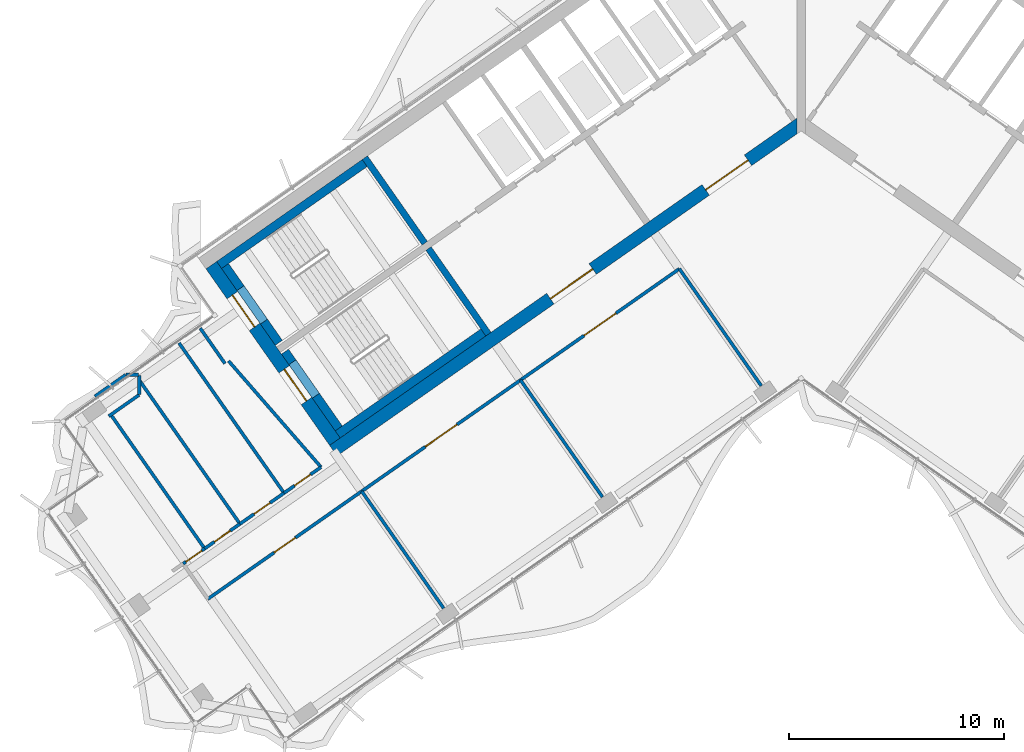
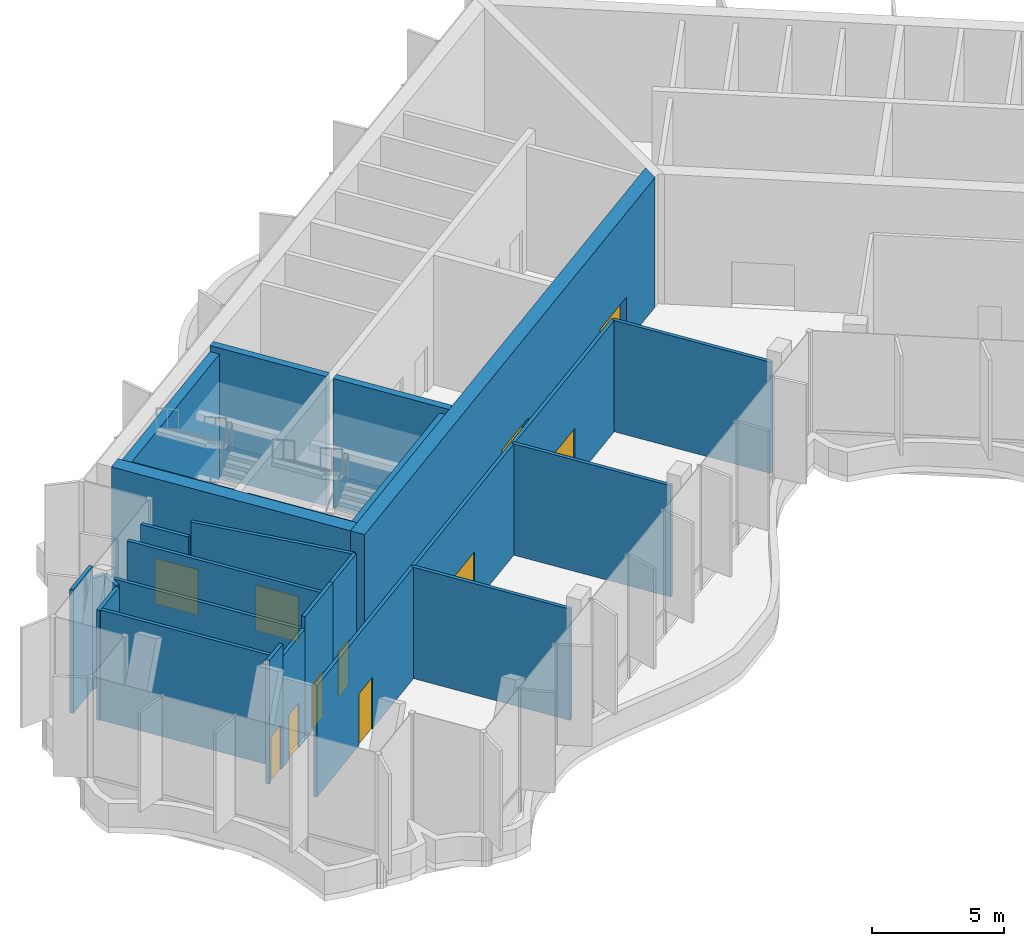
# One storey, part 12 of 22: 31 walls, 11 doors, 11 openings.
"""IFC4 building model written with IfcOpenShell, lengths in metres."""

from ifc_helpers import new_model, si_unit, direction, frame, frame_2d, origin, place, context, subcontext, project, spatial, polyline, rectangle, outline, extrude, material, layer, layer_set, type_object, element, fill, save


model = new_model("IFC4")

# Units and contexts
model_context = context("Model", 3, precision=1e-05, world=origin(), true_north=direction((0.0, 1.0)))
body_context = subcontext(model_context, "Body", "Model", "MODEL_VIEW")
ifc_project = project(units=[si_unit("LENGTHUNIT", "METRE"), si_unit("AREAUNIT", "SQUARE_METRE"), si_unit("VOLUMEUNIT", "CUBIC_METRE"), si_unit("PLANEANGLEUNIT", "RADIAN"), si_unit("MASSUNIT", "GRAM", prefix="KILO")], contexts=[model_context])

# Site, building, storey
site_placement = place(None, origin())
site = spatial("IfcSite", under=ifc_project, at=site_placement, CompositionType="ELEMENT")
building_placement = place(site_placement, origin())
building = spatial("IfcBuilding", under=site, at=building_placement, Name="Tel Ilan Convention Tower", CompositionType="ELEMENT")
storey_placement = place(building_placement, frame((0.0, 0.0, 219.39990234375)))
storey = spatial("IfcBuildingStorey", under=building, at=storey_placement, Name="L51", CompositionType="ELEMENT", Elevation=219.39990234375)

# Walls
ifc_material_1 = material(Name="Concrete C40/50", Category="concrete")
ifc_layer_1 = layer(ifc_material_1, 0.300048828125)
ifc_layer_set_1 = layer_set([ifc_layer_1], Name="Core Shear Wall 300 mm C40/50")
wall_type_1 = type_object("IfcWallType", Name="Core Shear Wall 300 mm C40/50", PredefinedType="SHEAR", material=ifc_layer_set_1)
wall_1_placement = place(storey_placement, frame((-14.515380859375, -10.652099609375, 0.0), z_axis=(0.0, 0.0, 1.0), x_axis=(-0.573560315113, 0.819163332265, 0.0)))
element("IfcWall", 1, at=wall_1_placement, inside=storey, type_object=wall_type_1, Name="L51 core wall W-cross2-1", PredefinedType="SHEAR", context=body_context, shape_type="SweptSolid", body=[
    extrude(outline(polyline([(4.85009765625, 0.14990234375), (0.0, 0.14990234375), (0.0, -0.150146484375), (4.85009765625, -0.14990234375), (4.85009765625, 0.14990234375)])), origin(), (0.0, 0.0, 1.0), 6.0),
])
wall_2_placement = place(storey_placement, frame((-17.46923828125, -6.433349609375, 0.0), z_axis=(0.0, 0.0, 1.0), x_axis=(-0.573594092424, 0.81913968109, 0.0)))
element("IfcWall", 2, at=wall_2_placement, inside=storey, type_object=wall_type_1, Name="L51 core wall W-cross2-2", PredefinedType="SHEAR", context=body_context, shape_type="SweptSolid", body=[
    extrude(outline(polyline([(4.849853515625, -0.150146484375), (4.849853515625, 0.14990234375), (0.0, 0.14990234375), (0.0, -0.14990234375), (4.849853515625, -0.150146484375)])), origin(), (0.0, 0.0, 1.0), 6.0),
])

# Wall, openings, doors
ifc_material_2 = material(Name="Concrete C40/50", Category="concrete")
ifc_layer_2 = layer(ifc_material_2, 0.60009765625)
ifc_layer_set_2 = layer_set([ifc_layer_2], Name="Core Shear Wall 600 mm C40/50")
wall_type_2 = type_object("IfcWallType", Name="Core Shear Wall 600 mm C40/50", PredefinedType="SHEAR", material=ifc_layer_set_2)
wall_3_placement = place(storey_placement, frame((-0.02783203125, -0.8740234375, 0.0), z_axis=(0.0, 0.0, 1.0), x_axis=(-0.819150035022, -0.573579305871, 0.0)))
wall_3 = element("IfcWall", 3, at=wall_3_placement, inside=storey, type_object=wall_type_2, Name="L51 core wall W-front", PredefinedType="SHEAR", context=body_context, shape_type="SweptSolid", body=[
    extrude(outline(polyline([(26.475830078125, 0.2998046875), (0.420166015625, 0.300048828125), (0.000244140625, -0.300048828125), (26.475830078125, -0.300048828125), (26.475830078125, 0.2998046875)])), origin(), (0.0, 0.0, 1.0), 6.0),
])
opening_1_placement = place(wall_3_placement, frame((2.975830078125, 0.0, 0.0)))
opening_1 = element("IfcOpeningElement", 4, at=opening_1_placement, cuts=wall_3, Name="Opening CD4005", PredefinedType="OPENING", context=body_context, shape_type="SweptSolid", body=[
    extrude(rectangle(XDim=2.39990234375, YDim=2.10009765625, at=frame_2d((1.199951171875, 1.050048828125))), frame((0.0, 0.31005859375, 0.0), z_axis=(0.0, -1.0, 0.0), x_axis=(1.0, 0.0, 0.0)), (0.0, 0.0, 1.0), 0.6201171875),
])
opening_2_placement = place(wall_3_placement, frame((11.77587890625, 0.0, 0.0)))
opening_2 = element("IfcOpeningElement", 5, at=opening_2_placement, cuts=wall_3, Name="Opening CD4006", PredefinedType="OPENING", context=body_context, shape_type="SweptSolid", body=[
    extrude(rectangle(XDim=2.39990234375, YDim=2.10009765625, at=frame_2d((1.199951171875, 1.050048828125))), frame((0.0, 0.31005859375, 0.0), z_axis=(0.0, -1.0, 0.0), x_axis=(1.0, 0.0, 0.0)), (0.0, 0.0, 1.0), 0.6201171875),
])
ifc_material_3 = material(Name="Glazed Aluminium Door Leaf", Category="aluminium")
door_type_1 = type_object("IfcDoorType", Name="Lobby Opening Door 2400 x 2100 FD60S", OperationType="NOTDEFINED", PredefinedType="DOOR", material=ifc_material_3)
door_1_placement = place(opening_1_placement, origin())
door_1 = element("IfcDoor", 6, at=door_1_placement, inside=storey, type_object=door_type_1, Name="Lift Lobby HR1-HR4 opening", OperationType="DOUBLE_DOOR_SINGLE_SWING", OverallHeight=2.10009765625, OverallWidth=2.39990234375, PredefinedType="DOOR", context=body_context, shape_type="SweptSolid", body=[
    extrude(rectangle(XDim=2.39990234375, YDim=2.10009765625, at=frame_2d((1.199951171875, 1.050048828125))), frame((0.0, 0.02490234375, 0.0), z_axis=(0.0, -1.0, 0.0), x_axis=(1.0, 0.0, 0.0)), (0.0, 0.0, 1.0), 0.050048828125),
])
fill(opening_1, door_1)
door_2_placement = place(opening_2_placement, origin())
door_2 = element("IfcDoor", 7, at=door_2_placement, inside=storey, type_object=door_type_1, Name="Lift Lobby HR5-HR6 opening", OperationType="DOUBLE_DOOR_SINGLE_SWING", OverallHeight=2.10009765625, OverallWidth=2.39990234375, PredefinedType="DOOR", context=body_context, shape_type="SweptSolid", body=[
    extrude(rectangle(XDim=2.39990234375, YDim=2.10009765625, at=frame_2d((1.199951171875, 1.050048828125))), frame((0.0, 0.02490234375, 0.0), z_axis=(0.0, -1.0, 0.0), x_axis=(1.0, 0.0, 0.0)), (0.0, 0.0, 1.0), 0.050048828125),
])
fill(opening_2, door_2)

wall_4_placement = place(storey_placement, frame((-21.641845703125, -15.64208984375, 0.0), z_axis=(0.0, 0.0, 1.0), x_axis=(-0.573586866468, 0.819144740944, 0.0)))
wall_4 = element("IfcWall", 8, at=wall_4_placement, inside=storey, type_object=wall_type_2, Name="L51 core wall W-end", PredefinedType="SHEAR", context=body_context, shape_type="SweptSolid", body=[
    extrude(outline(polyline([(0.0, 0.300048828125), (0.0, -0.2998046875), (10.0, -0.300048828125), (10.0, 0.300048828125), (0.0, 0.300048828125)])), origin(), (0.0, 0.0, 1.0), 6.0),
])
opening_3_placement = place(wall_4_placement, frame((6.5, 0.0, 0.0)))
opening_3 = element("IfcOpeningElement", 9, at=opening_3_placement, cuts=wall_4, Name="Opening SD4001", PredefinedType="OPENING", context=body_context, shape_type="SweptSolid", body=[
    extrude(rectangle(XDim=1.800048828125, YDim=2.10009765625, at=frame_2d((0.89990234375, 1.050048828125))), frame((0.0, 0.31005859375, 0.0), z_axis=(0.0, -1.0, 0.0), x_axis=(1.0, 0.0, 0.0)), (0.0, 0.0, 1.0), 0.6201171875),
])
opening_4_placement = place(wall_4_placement, frame((2.300048828125, 0.0, 0.0)))
opening_4 = element("IfcOpeningElement", 10, at=opening_4_placement, cuts=wall_4, Name="Opening SD4002", PredefinedType="OPENING", context=body_context, shape_type="SweptSolid", body=[
    extrude(rectangle(XDim=1.800048828125, YDim=2.10009765625, at=frame_2d((0.89990234375, 1.050048828125))), frame((0.0, 0.31005859375, 0.0), z_axis=(0.0, -1.0, 0.0), x_axis=(1.0, 0.0, 0.0)), (0.0, 0.0, 1.0), 0.6201171875),
])
ifc_material_4 = material(Name="Galvanised Steel Door Leaf", Category="steel")
door_type_2 = type_object("IfcDoorType", Name="Stair Fire Door 1800 x 2100 FD60S", OperationType="NOTDEFINED", PredefinedType="DOOR", material=ifc_material_4)
door_3_placement = place(opening_3_placement, origin())
door_3 = element("IfcDoor", 11, at=door_3_placement, inside=storey, type_object=door_type_2, Name="Stair S1 door", OperationType="DOUBLE_DOOR_SINGLE_SWING", OverallHeight=2.10009765625, OverallWidth=1.800048828125, PredefinedType="DOOR", context=body_context, shape_type="SweptSolid", body=[
    extrude(rectangle(XDim=1.800048828125, YDim=2.10009765625, at=frame_2d((0.89990234375, 1.050048828125))), frame((0.0, 0.02490234375, 0.0), z_axis=(0.0, -1.0, 0.0), x_axis=(1.0, 0.0, 0.0)), (0.0, 0.0, 1.0), 0.050048828125),
])
fill(opening_3, door_3)
door_4_placement = place(opening_4_placement, origin())
door_4 = element("IfcDoor", 12, at=door_4_placement, inside=storey, type_object=door_type_2, Name="Stair S2 door", OperationType="DOUBLE_DOOR_SINGLE_SWING", OverallHeight=2.10009765625, OverallWidth=1.800048828125, PredefinedType="DOOR", context=body_context, shape_type="SweptSolid", body=[
    extrude(rectangle(XDim=1.800048828125, YDim=2.10009765625, at=frame_2d((0.89990234375, 1.050048828125))), frame((0.0, 0.02490234375, 0.0), z_axis=(0.0, -1.0, 0.0), x_axis=(1.0, 0.0, 0.0)), (0.0, 0.0, 1.0), 0.050048828125),
])
fill(opening_4, door_4)

# Wall, opening, door
ifc_material_5 = material(Name="Plasterboard on Steel Studs", Category="steel")
ifc_layer_3 = layer(ifc_material_5, 0.14990234375)
ifc_layer_set_3 = layer_set([ifc_layer_3], Name="Fire-rated Partition 150 EI 60")
wall_type_3 = type_object("IfcWallType", Name="Fire-rated Partition 150 EI 60", PredefinedType="PARTITIONING", material=ifc_layer_set_3)
wall_5_placement = place(storey_placement, frame((-24.002685546875, -18.027587890625, 0.0), z_axis=(0.0, 0.0, 1.0), x_axis=(0.819182738768, 0.573532597595, 0.0)))
wall_5 = element("IfcWall", 13, at=wall_5_placement, inside=storey, type_object=wall_type_3, Name="Partition 004", PredefinedType="PARTITIONING", context=body_context, shape_type="SweptSolid", body=[
    extrude(rectangle(XDim=2.09912109375, YDim=0.14990234375, at=frame_2d((1.049560546875, 0.0))), origin(), (0.0, 0.0, 1.0), 5.72021484375),
])
opening_5_placement = place(wall_5_placement, frame((0.599609375, 0.0, 0.0)))
opening_5 = element("IfcOpeningElement", 14, at=opening_5_placement, cuts=wall_5, Name="Opening L51-004", PredefinedType="OPENING", context=body_context, shape_type="SweptSolid", body=[
    extrude(rectangle(XDim=0.89990234375, YDim=2.10009765625, at=frame_2d((0.449951171875, 1.050048828125))), frame((0.0, 0.0849609375, 0.0), z_axis=(0.0, -1.0, 0.0), x_axis=(1.0, 0.0, 0.0)), (0.0, 0.0, 1.0), 0.169921875),
])
ifc_material_6 = material(Name="Timber Door Leaf in Steel Frame", Category="steel")
door_type_3 = type_object("IfcDoorType", Name="Room Fire Door 900x2100", OperationType="NOTDEFINED", PredefinedType="DOOR", material=ifc_material_6)
door_5_placement = place(opening_5_placement, origin())
door_5 = element("IfcDoor", 15, at=door_5_placement, inside=storey, type_object=door_type_3, Name="Door L51-004", OperationType="SINGLE_SWING_RIGHT", OverallHeight=2.10009765625, OverallWidth=0.89990234375, PredefinedType="DOOR", context=body_context, shape_type="SweptSolid", body=[
    extrude(rectangle(XDim=0.89990234375, YDim=2.10009765625, at=frame_2d((0.449951171875, 1.050048828125))), frame((0.0, 0.02490234375, 0.0), z_axis=(0.0, -1.0, 0.0), x_axis=(1.0, 0.0, 0.0)), (0.0, 0.0, 1.0), 0.050048828125),
])
fill(opening_5, door_5)

wall_6_placement = place(storey_placement, frame((-26.050537109375, -19.46142578125, 0.0), z_axis=(0.0, 0.0, 1.0), x_axis=(0.81920443604, 0.573501605902, 0.0)))
wall_6 = element("IfcWall", 16, at=wall_6_placement, inside=storey, type_object=wall_type_3, Name="Partition 005", PredefinedType="PARTITIONING", context=body_context, shape_type="SweptSolid", body=[
    extrude(rectangle(XDim=2.50390625, YDim=0.14990234375, at=frame_2d((1.251953125, 0.0))), origin(), (0.0, 0.0, 1.0), 5.72021484375),
])
opening_6_placement = place(wall_6_placement, frame((0.802001953125, 0.0, 0.0)))
opening_6 = element("IfcOpeningElement", 17, at=opening_6_placement, cuts=wall_6, Name="Opening L51-005", PredefinedType="OPENING", context=body_context, shape_type="SweptSolid", body=[
    extrude(rectangle(XDim=0.89990234375, YDim=2.10009765625, at=frame_2d((0.449951171875, 1.050048828125))), frame((0.0, 0.0849609375, 0.0), z_axis=(0.0, -1.0, 0.0), x_axis=(1.0, 0.0, 0.0)), (0.0, 0.0, 1.0), 0.169921875),
])
door_6_placement = place(opening_6_placement, origin())
door_6 = element("IfcDoor", 18, at=door_6_placement, inside=storey, type_object=door_type_3, Name="Door L51-005", OperationType="SINGLE_SWING_RIGHT", OverallHeight=2.10009765625, OverallWidth=0.89990234375, PredefinedType="DOOR", context=body_context, shape_type="SweptSolid", body=[
    extrude(rectangle(XDim=0.89990234375, YDim=2.10009765625, at=frame_2d((0.449951171875, 1.050048828125))), frame((0.0, 0.02490234375, 0.0), z_axis=(0.0, -1.0, 0.0), x_axis=(1.0, 0.0, 0.0)), (0.0, 0.0, 1.0), 0.050048828125),
])
fill(opening_6, door_6)

wall_7_placement = place(storey_placement, frame((-27.688720703125, -20.608642578125, 0.0), z_axis=(0.0, 0.0, 1.0), x_axis=(0.819163233777, 0.573560455774, 0.0)))
wall_7 = element("IfcWall", 19, at=wall_7_placement, inside=storey, type_object=wall_type_3, Name="Partition 006", PredefinedType="PARTITIONING", context=body_context, shape_type="SweptSolid", body=[
    extrude(rectangle(XDim=2.00390625, YDim=0.14990234375, at=frame_2d((1.001953125, 0.0))), origin(), (0.0, 0.0, 1.0), 5.150146484375),
])
opening_7_placement = place(wall_7_placement, frame((0.552001953125, 0.0, 0.0)))
opening_7 = element("IfcOpeningElement", 20, at=opening_7_placement, cuts=wall_7, Name="Opening L51-006", PredefinedType="OPENING", context=body_context, shape_type="SweptSolid", body=[
    extrude(rectangle(XDim=0.89990234375, YDim=2.10009765625, at=frame_2d((0.449951171875, 1.050048828125))), frame((0.0, 0.0849609375, 0.0), z_axis=(0.0, -1.0, 0.0), x_axis=(1.0, 0.0, 0.0)), (0.0, 0.0, 1.0), 0.169921875),
])
door_7_placement = place(opening_7_placement, origin())
door_7 = element("IfcDoor", 21, at=door_7_placement, inside=storey, type_object=door_type_3, Name="Door L51-006", OperationType="SINGLE_SWING_RIGHT", OverallHeight=2.10009765625, OverallWidth=0.89990234375, PredefinedType="DOOR", context=body_context, shape_type="SweptSolid", body=[
    extrude(rectangle(XDim=0.89990234375, YDim=2.10009765625, at=frame_2d((0.449951171875, 1.050048828125))), frame((0.0, 0.02490234375, 0.0), z_axis=(0.0, -1.0, 0.0), x_axis=(1.0, 0.0, 0.0)), (0.0, 0.0, 1.0), 0.050048828125),
])
fill(opening_7, door_7)

wall_8_placement = place(storey_placement, frame((-28.685302734375, -21.306396484375, 0.0), z_axis=(0.0, 0.0, 1.0), x_axis=(0.819184927295, 0.573529471686, 0.0)))
wall_8 = element("IfcWall", 22, at=wall_8_placement, inside=storey, type_object=wall_type_3, Name="Partition 007", PredefinedType="PARTITIONING", context=body_context, shape_type="SweptSolid", body=[
    extrude(rectangle(XDim=1.220458984375, YDim=0.14990234375, at=frame_2d((0.6103515625, 0.0))), origin(), (0.0, 0.0, 1.0), 5.72021484375),
])
opening_8_placement = place(wall_8_placement, frame((0.160400390625, 0.0, 0.0)))
opening_8 = element("IfcOpeningElement", 23, at=opening_8_placement, cuts=wall_8, Name="Opening L51-007", PredefinedType="OPENING", context=body_context, shape_type="SweptSolid", body=[
    extrude(rectangle(XDim=0.89990234375, YDim=2.10009765625, at=frame_2d((0.449951171875, 1.050048828125))), frame((0.0, 0.0849609375, 0.0), z_axis=(0.0, -1.0, 0.0), x_axis=(1.0, 0.0, 0.0)), (0.0, 0.0, 1.0), 0.169921875),
])
door_8_placement = place(opening_8_placement, origin())
door_8 = element("IfcDoor", 24, at=door_8_placement, inside=storey, type_object=door_type_3, Name="Door L51-007", OperationType="SINGLE_SWING_LEFT", OverallHeight=2.10009765625, OverallWidth=0.89990234375, PredefinedType="DOOR", context=body_context, shape_type="SweptSolid", body=[
    extrude(rectangle(XDim=0.89990234375, YDim=2.10009765625, at=frame_2d((0.449951171875, 1.050048828125))), frame((0.0, 0.02490234375, 0.0), z_axis=(0.0, -1.0, 0.0), x_axis=(1.0, 0.0, 0.0)), (0.0, 0.0, 1.0), 0.050048828125),
])
fill(opening_8, door_8)

wall_9_placement = place(storey_placement, frame((-5.651611328125, -7.61962890625, 0.0), z_axis=(0.0, 0.0, 1.0), x_axis=(-0.81915291695, -0.57357519006, 0.0)))
wall_9 = element("IfcWall", 25, at=wall_9_placement, inside=storey, type_object=wall_type_3, Name="Partition 008", PredefinedType="PARTITIONING", context=body_context, shape_type="SweptSolid", body=[
    extrude(rectangle(XDim=9.001953125, YDim=0.14990234375, at=frame_2d((4.5009765625, 0.0))), origin(), (0.0, 0.0, 1.0), 5.150146484375),
])
opening_9_placement = place(wall_9_placement, frame((3.60107421875, 0.0, 0.0)))
opening_9 = element("IfcOpeningElement", 26, at=opening_9_placement, cuts=wall_9, Name="Opening L51-001", PredefinedType="OPENING", context=body_context, shape_type="SweptSolid", body=[
    extrude(rectangle(XDim=1.800048828125, YDim=2.39990234375, at=frame_2d((0.89990234375, 1.199951171875))), frame((0.0, 0.0849609375, 0.0), z_axis=(0.0, -1.0, 0.0), x_axis=(1.0, 0.0, 0.0)), (0.0, 0.0, 1.0), 0.169921875),
])
ifc_material_7 = material(Name="Timber Door Leaf in Steel Frame", Category="steel")
door_type_4 = type_object("IfcDoorType", Name="Hall Double Fire Door 1800x2400", OperationType="NOTDEFINED", PredefinedType="DOOR", material=ifc_material_7)
door_9_placement = place(opening_9_placement, origin())
door_9 = element("IfcDoor", 27, at=door_9_placement, inside=storey, type_object=door_type_4, Name="Door L51-001", OperationType="DOUBLE_DOOR_SINGLE_SWING", OverallHeight=2.39990234375, OverallWidth=1.800048828125, PredefinedType="DOOR", context=body_context, shape_type="SweptSolid", body=[
    extrude(rectangle(XDim=1.800048828125, YDim=2.39990234375, at=frame_2d((0.89990234375, 1.199951171875))), frame((0.0, 0.02490234375, 0.0), z_axis=(0.0, -1.0, 0.0), x_axis=(1.0, 0.0, 0.0)), (0.0, 0.0, 1.0), 0.050048828125),
])
fill(opening_9, door_9)

wall_10_placement = place(storey_placement, frame((-13.0224609375, -12.78076171875, 0.0), z_axis=(0.0, 0.0, 1.0), x_axis=(-0.819142740634, -0.573589723117, 0.0)))
wall_10 = element("IfcWall", 28, at=wall_10_placement, inside=storey, type_object=wall_type_3, Name="Partition 009", PredefinedType="PARTITIONING", context=body_context, shape_type="SweptSolid", body=[
    extrude(rectangle(XDim=9.00390625, YDim=0.14990234375, at=frame_2d((4.501953125, 0.0))), origin(), (0.0, 0.0, 1.0), 5.150146484375),
])
opening_10_placement = place(wall_10_placement, frame((3.60205078125, 0.0, 0.0)))
opening_10 = element("IfcOpeningElement", 29, at=opening_10_placement, cuts=wall_10, Name="Opening L51-002", PredefinedType="OPENING", context=body_context, shape_type="SweptSolid", body=[
    extrude(rectangle(XDim=1.800048828125, YDim=2.39990234375, at=frame_2d((0.89990234375, 1.199951171875))), frame((0.0, 0.0849609375, 0.0), z_axis=(0.0, -1.0, 0.0), x_axis=(1.0, 0.0, 0.0)), (0.0, 0.0, 1.0), 0.169921875),
])
door_10_placement = place(opening_10_placement, origin())
door_10 = element("IfcDoor", 30, at=door_10_placement, inside=storey, type_object=door_type_4, Name="Door L51-002", OperationType="DOUBLE_DOOR_SINGLE_SWING", OverallHeight=2.39990234375, OverallWidth=1.800048828125, PredefinedType="DOOR", context=body_context, shape_type="SweptSolid", body=[
    extrude(rectangle(XDim=1.800048828125, YDim=2.39990234375, at=frame_2d((0.89990234375, 1.199951171875))), frame((0.0, 0.02490234375, 0.0), z_axis=(0.0, -1.0, 0.0), x_axis=(1.0, 0.0, 0.0)), (0.0, 0.0, 1.0), 0.050048828125),
])
fill(opening_10, door_10)

wall_11_placement = place(storey_placement, frame((-20.394775390625, -17.94287109375, 0.0), z_axis=(0.0, 0.0, 1.0), x_axis=(-0.81914378826, -0.573588227002, 0.0)))
wall_11 = element("IfcWall", 31, at=wall_11_placement, inside=storey, type_object=wall_type_3, Name="Partition 010", PredefinedType="PARTITIONING", context=body_context, shape_type="SweptSolid", body=[
    extrude(rectangle(XDim=8.720458984375, YDim=0.14990234375, at=frame_2d((4.3603515625, 0.0))), origin(), (0.0, 0.0, 1.0), 5.150146484375),
])
opening_11_placement = place(wall_11_placement, frame((3.76025390625, 0.0, 0.0)))
opening_11 = element("IfcOpeningElement", 32, at=opening_11_placement, cuts=wall_11, Name="Opening L51-003", PredefinedType="OPENING", context=body_context, shape_type="SweptSolid", body=[
    extrude(rectangle(XDim=1.199951171875, YDim=2.39990234375, at=frame_2d((0.60009765625, 1.199951171875))), frame((0.0, 0.0849609375, 0.0), z_axis=(0.0, -1.0, 0.0), x_axis=(1.0, 0.0, 0.0)), (0.0, 0.0, 1.0), 0.169921875),
])
ifc_material_8 = material(Name="Glazed Aluminium Door", Category="aluminium")
door_type_5 = type_object("IfcDoorType", Name="Glazed Lobby Door 1200x2400", OperationType="NOTDEFINED", PredefinedType="DOOR", material=ifc_material_8)
door_11_placement = place(opening_11_placement, origin())
door_11 = element("IfcDoor", 33, at=door_11_placement, inside=storey, type_object=door_type_5, Name="Door L51-003", OperationType="DOUBLE_DOOR_SINGLE_SWING", OverallHeight=2.39990234375, OverallWidth=1.199951171875, PredefinedType="DOOR", context=body_context, shape_type="SweptSolid", body=[
    extrude(rectangle(XDim=1.199951171875, YDim=2.39990234375, at=frame_2d((0.60009765625, 1.199951171875))), frame((0.0, 0.02490234375, 0.0), z_axis=(0.0, -1.0, 0.0), x_axis=(1.0, 0.0, 0.0)), (0.0, 0.0, 1.0), 0.050048828125),
])
fill(opening_11, door_11)

# Walls
wall_12_placement = place(storey_placement, frame((-1.848876953125, -13.050537109375, 0.0), z_axis=(0.0, 0.0, 1.0), x_axis=(-0.573575988258, 0.819152358047, 0.0)))
element("IfcWall", 34, at=wall_12_placement, inside=storey, type_object=wall_type_3, Name="Partition 018", PredefinedType="PARTITIONING", context=body_context, shape_type="SweptSolid", body=[
    extrude(rectangle(XDim=6.632080078125, YDim=0.14990234375, at=frame_2d((3.31591796875, 0.0))), origin(), (0.0, 0.0, 1.0), 5.150146484375),
])
wall_13_placement = place(storey_placement, frame((-26.74609375, -12.013671875, 0.0), z_axis=(0.0, 0.0, 1.0), x_axis=(-0.573568836472, 0.819157365729, 0.0)))
element("IfcWall", 35, at=wall_13_placement, inside=storey, type_object=wall_type_3, Name="Partition 019", PredefinedType="PARTITIONING", context=body_context, shape_type="SweptSolid", body=[
    extrude(rectangle(XDim=2.000244140625, YDim=0.14990234375, at=frame_2d((1.0, 0.0))), origin(), (0.0, 0.0, 1.0), 5.150146484375),
])
wall_14_placement = place(storey_placement, frame((-22.28369140625, -16.826416015625, 0.0), z_axis=(0.0, 0.0, 1.0), x_axis=(-0.656758142177, 0.754101281449, 0.0)))
element("IfcWall", 36, at=wall_14_placement, inside=storey, type_object=wall_type_3, Name="Partition 020", PredefinedType="PARTITIONING", context=body_context, shape_type="SweptSolid", body=[
    extrude(rectangle(XDim=6.53857421875, YDim=0.14990234375, at=frame_2d((3.269287109375, 0.0))), origin(), (0.0, 0.0, 1.0), 5.72021484375),
])
wall_15_placement = place(storey_placement, frame((-24.0009765625, -18.0263671875, 0.0), z_axis=(0.0, 0.0, 1.0), x_axis=(-0.573591492816, 0.819141501433, 0.0)))
element("IfcWall", 37, at=wall_15_placement, inside=storey, type_object=wall_type_3, Name="Partition 021", PredefinedType="PARTITIONING", context=body_context, shape_type="SweptSolid", body=[
    extrude(rectangle(XDim=8.5, YDim=0.14990234375, at=frame_2d((4.25, 0.0))), origin(), (0.0, 0.0, 1.0), 5.150146484375),
])
wall_16_placement = place(storey_placement, frame((-26.048828125, -19.46044921875, 0.0), z_axis=(0.0, 0.0, 1.0), x_axis=(-0.57357898468, 0.819150259924, 0.0)))
element("IfcWall", 38, at=wall_16_placement, inside=storey, type_object=wall_type_3, Name="Partition 022", PredefinedType="PARTITIONING", context=body_context, shape_type="SweptSolid", body=[
    extrude(rectangle(XDim=8.147216796875, YDim=0.14990234375, at=frame_2d((4.07373046875, 0.0))), origin(), (0.0, 0.0, 1.0), 5.150146484375),
])
wall_17_placement = place(storey_placement, frame((-27.687255859375, -20.607421875, 0.0), z_axis=(0.0, 0.0, 1.0), x_axis=(-0.573574606891, 0.819153325288, 0.0)))
element("IfcWall", 39, at=wall_17_placement, inside=storey, type_object=wall_type_3, Name="Partition 023", PredefinedType="PARTITIONING", context=body_context, shape_type="SweptSolid", body=[
    extrude(rectangle(XDim=7.58935546875, YDim=0.14990234375, at=frame_2d((3.794677734375, 0.0))), origin(), (0.0, 0.0, 1.0), 5.10009765625),
])
wall_18_placement = place(storey_placement, frame((-32.78125, -13.540771484375, 0.0), z_axis=(0.0, 0.0, 1.0), x_axis=(0.819139782198, 0.573593948034, 0.0)))
element("IfcWall", 40, at=wall_18_placement, inside=storey, type_object=wall_type_3, Name="Partition 024", PredefinedType="PARTITIONING", context=body_context, shape_type="SweptSolid", body=[
    extrude(rectangle(XDim=1.742919921875, YDim=0.14990234375, at=frame_2d((0.87158203125, 0.0))), origin(), (0.0, 0.0, 1.0), 5.72021484375),
])
wall_19_placement = place(storey_placement, frame((-31.342041015625, -12.537353515625, 0.0), z_axis=(0.0, 0.0, 1.0), x_axis=(1.0, 0.0, 0.0)))
element("IfcWall", 41, at=wall_19_placement, inside=storey, type_object=wall_type_3, Name="Partition 025", PredefinedType="PARTITIONING", context=body_context, shape_type="SweptSolid", body=[
    extrude(rectangle(XDim=0.592041015625, YDim=0.14990234375, at=frame_2d((0.2958984375, 0.0))), origin(), (0.0, 0.0, 1.0), 5.150146484375),
])
wall_20_placement = place(storey_placement, frame((-30.721923828125, -12.5771484375, 0.0), z_axis=(0.0, 0.0, 1.0), x_axis=(0.0, -1.0, 0.0)))
element("IfcWall", 42, at=wall_20_placement, inside=storey, type_object=wall_type_3, Name="Partition 026", PredefinedType="PARTITIONING", context=body_context, shape_type="SweptSolid", body=[
    extrude(rectangle(XDim=0.880126953125, YDim=0.14990234375, at=frame_2d((0.43994140625, 0.0))), origin(), (0.0, 0.0, 1.0), 5.150146484375),
])
wall_21_placement = place(storey_placement, frame((-30.73046875, -13.4736328125, 0.0), z_axis=(0.0, 0.0, 1.0), x_axis=(-0.819091771691, -0.573662504918, 0.0)))
element("IfcWall", 43, at=wall_21_placement, inside=storey, type_object=wall_type_3, Name="Partition 027", PredefinedType="PARTITIONING", context=body_context, shape_type="SweptSolid", body=[
    extrude(rectangle(XDim=1.718994140625, YDim=0.14990234375, at=frame_2d((0.859375, 0.0))), origin(), (0.0, 0.0, 1.0), 5.10009765625),
])
for number, where, z_axis, x_axis, name in (
    (44, (-9.22119140625, -18.212890625, 0.0), (0.0, 0.0, 1.0), (-0.573556251799, 0.819166177294, 0.0), "Partition 029"),
    (45, (-16.593505859375, -23.375, 0.0), (0.0, 0.0, 1.0), (-0.57359826181, 0.819136761505, 0.0), "Partition 030"),
):
    element("IfcWall", number, at=place(storey_placement, frame(where, z_axis=z_axis, x_axis=x_axis)), inside=storey, type_object=wall_type_3, Name=name, PredefinedType="PARTITIONING", context=body_context, shape_type="SweptSolid", body=[
        extrude(rectangle(XDim=6.630126953125, YDim=0.14990234375, at=frame_2d((3.31494140625, 0.0))), origin(), (0.0, 0.0, 1.0), 5.150146484375),
    ])
ifc_material_9 = material(Name="Concrete C30/37", Category="concrete")
ifc_layer_4 = layer(ifc_material_9, 0.39990234375)
ifc_layer_set_4 = layer_set([ifc_layer_4], Name="Stair and Shaft Lining Wall 400 mm C30/37")
wall_type_4 = type_object("IfcWallType", Name="Stair and Shaft Lining Wall 400 mm C30/37", PredefinedType="SOLIDWALL", material=ifc_layer_set_4)
wall_22_placement = place(storey_placement, frame((-20.25927734375, -2.71044921875, 0.0), z_axis=(0.0, 0.0, 1.0), x_axis=(-0.81914849389, -0.573581506813, 0.0)))
element("IfcWall", 46, at=wall_22_placement, inside=storey, type_object=wall_type_4, Name="L51 core wall lining-S1-t1", PredefinedType="SOLIDWALL", context=body_context, shape_type="SweptSolid", body=[
    extrude(rectangle(XDim=8.249755859375, YDim=0.39990234375, at=frame_2d((4.125, 0.0))), origin(), (0.0, 0.0, 1.0), 5.72021484375),
])
wall_23_placement = place(storey_placement, frame((-24.24365234375, -11.0546875, 0.0), z_axis=(0.0, 0.0, 1.0), x_axis=(-0.573571582932, 0.819155442668, 0.0)))
element("IfcWall", 47, at=wall_23_placement, inside=storey, type_object=wall_type_4, Name="L51 core wall lining-S1-u1-0", PredefinedType="SOLIDWALL", context=body_context, shape_type="SweptSolid", body=[
    extrude(rectangle(XDim=1.199951171875, YDim=0.39990234375, at=frame_2d((0.60009765625, 0.0))), origin(), (0.0, 0.0, 1.0), 5.72021484375),
])
wall_24_placement = place(storey_placement, frame((-26.021728515625, -8.515380859375, 0.0), z_axis=(0.0, 0.0, 1.0), x_axis=(-0.573619628835, 0.819121798889, 0.0)))
element("IfcWall", 48, at=wall_24_placement, inside=storey, type_object=wall_type_4, Name="L51 core wall lining-S1-u1-1", PredefinedType="SOLIDWALL", context=body_context, shape_type="SweptSolid", body=[
    extrude(rectangle(XDim=1.25, YDim=0.39990234375, at=frame_2d((0.625, 0.0))), origin(), (0.0, 0.0, 1.0), 5.72021484375),
])
wall_25_placement = place(storey_placement, frame((-24.931884765625, -10.07177734375, 2.150146484375), z_axis=(0.0, 0.0, 1.0), x_axis=(-0.573591692345, 0.819141361715, 0.0)))
element("IfcWall", 49, at=wall_25_placement, inside=storey, type_object=wall_type_4, Name="L51 core wall lining-S1-u1-lintel", PredefinedType="SOLIDWALL", context=body_context, shape_type="SweptSolid", body=[
    extrude(rectangle(XDim=1.900146484375, YDim=0.39990234375, at=frame_2d((0.9501953125, 0.0))), origin(), (0.0, 0.0, 1.0), 3.570068359375),
])
wall_26_placement = place(storey_placement, frame((-14.7529296875, -10.57421875, 0.0), z_axis=(0.0, 0.0, 1.0), x_axis=(-0.819158229677, -0.573567602601, 0.0)))
element("IfcWall", 50, at=wall_26_placement, inside=storey, type_object=wall_type_4, Name="L51 core wall lining-S2-t0", PredefinedType="SOLIDWALL", context=body_context, shape_type="SweptSolid", body=[
    extrude(rectangle(XDim=8.25, YDim=0.39990234375, at=frame_2d((4.125, 0.0))), origin(), (0.0, 0.0, 1.0), 5.72021484375),
])
wall_27_placement = place(storey_placement, frame((-21.4619140625, -15.027587890625, 0.0), z_axis=(0.0, 0.0, 1.0), x_axis=(-0.573559770908, 0.819163713305, 0.0)))
element("IfcWall", 51, at=wall_27_placement, inside=storey, type_object=wall_type_4, Name="L51 core wall lining-S2-u1-0", PredefinedType="SOLIDWALL", context=body_context, shape_type="SweptSolid", body=[
    extrude(rectangle(XDim=1.849853515625, YDim=0.39990234375, at=frame_2d((0.9248046875, 0.0))), origin(), (0.0, 0.0, 1.0), 5.72021484375),
])
wall_28_placement = place(storey_placement, frame((-23.61279296875, -11.955810546875, 0.0), z_axis=(0.0, 0.0, 1.0), x_axis=(-0.573435029941, 0.819251039936, 0.0)))
element("IfcWall", 52, at=wall_28_placement, inside=storey, type_object=wall_type_4, Name="L51 core wall lining-S2-u1-1", PredefinedType="SOLIDWALL", context=body_context, shape_type="SweptSolid", body=[
    extrude(rectangle(XDim=0.599853515625, YDim=0.39990234375, at=frame_2d((0.2998046875, 0.0))), origin(), (0.0, 0.0, 1.0), 5.72021484375),
])
wall_29_placement = place(storey_placement, frame((-22.52294921875, -13.51220703125, 2.150146484375), z_axis=(0.0, 0.0, 1.0), x_axis=(-0.573591692345, 0.819141361715, 0.0)))
element("IfcWall", 53, at=wall_29_placement, inside=storey, type_object=wall_type_4, Name="L51 core wall lining-S2-u1-lintel", PredefinedType="SOLIDWALL", context=body_context, shape_type="SweptSolid", body=[
    extrude(rectangle(XDim=1.900146484375, YDim=0.39990234375, at=frame_2d((0.9501953125, 0.0))), origin(), (0.0, 0.0, 1.0), 3.570068359375),
])

save(model, "model.ifc")
